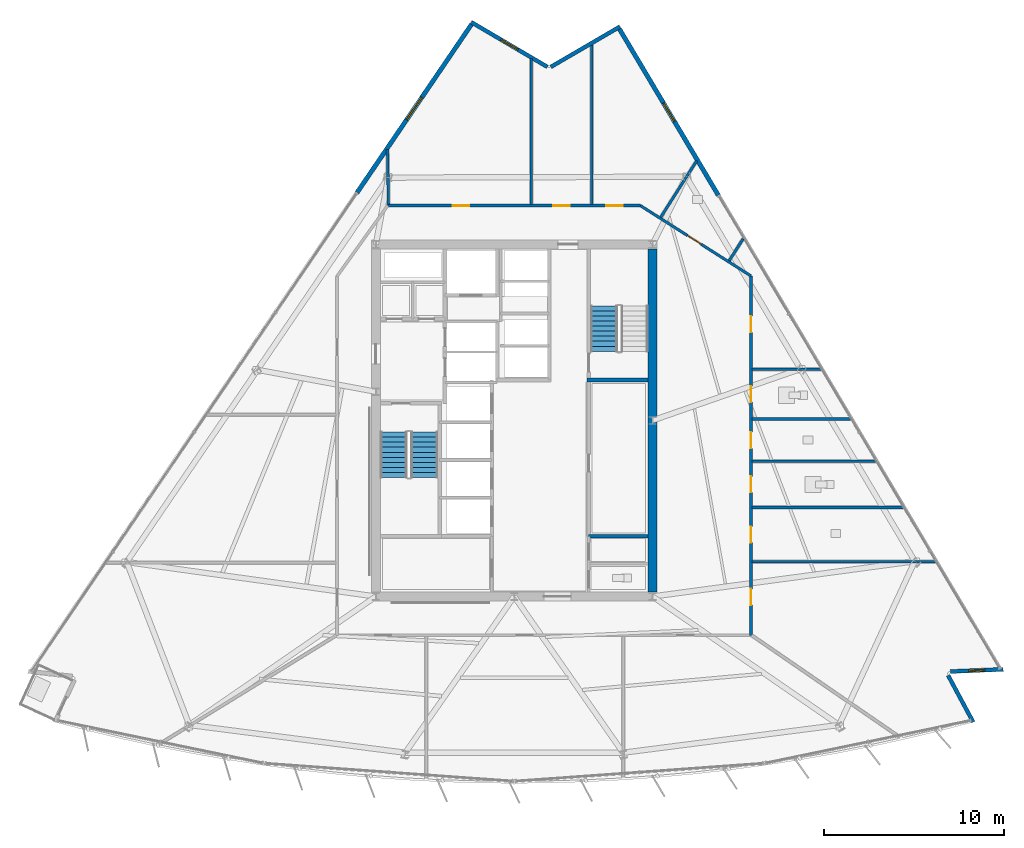
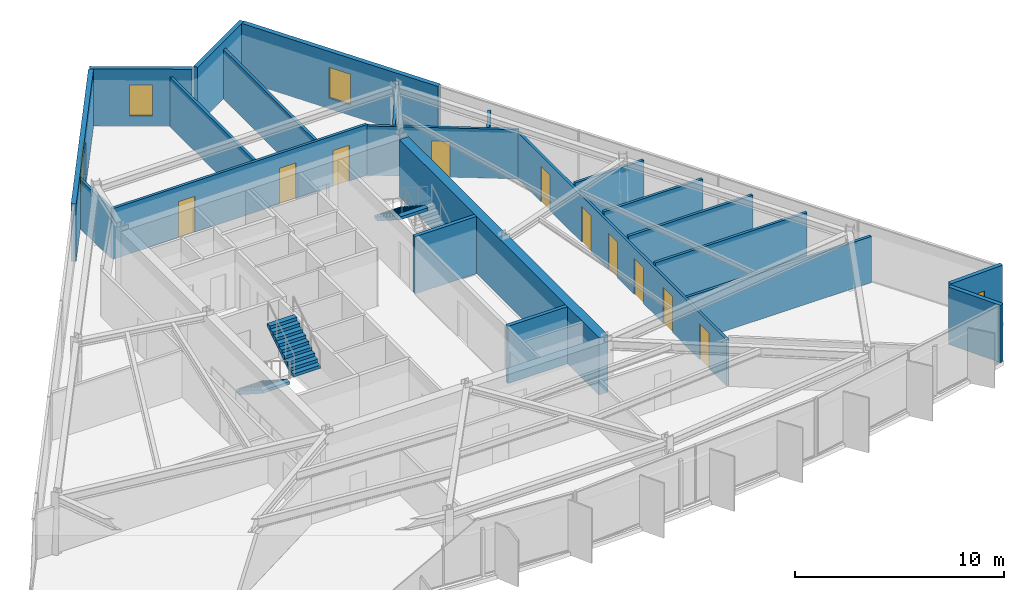
# One storey, part 9 of 15: 22 walls, 10 doors, 4 windows, 3 stair flights, 14 openings, 2 elements without a shape of their own.
"""IFC4 building model written with IfcOpenShell, lengths in metres."""

from ifc_helpers import new_model, si_unit, direction, frame, frame_2d, origin, place, context, subcontext, project, spatial, polyline, rectangle, outline, extrude, material, layer, layer_set, type_object, element, fill, aggregate, save


model = new_model("IFC4")

# Units and contexts
model_context = context("Model", 3, precision=1e-05, world=origin(), true_north=direction((0.0, 1.0)))
body_context = subcontext(model_context, "Body", "Model", "MODEL_VIEW")
ifc_project = project(units=[si_unit("LENGTHUNIT", "METRE"), si_unit("AREAUNIT", "SQUARE_METRE"), si_unit("VOLUMEUNIT", "CUBIC_METRE"), si_unit("PLANEANGLEUNIT", "RADIAN"), si_unit("MASSUNIT", "GRAM", prefix="KILO")], contexts=[model_context])

# Site, building, storey
site_placement = place(None, origin())
site = spatial("IfcSite", under=ifc_project, at=site_placement, CompositionType="ELEMENT")
building_placement = place(site_placement, origin())
building = spatial("IfcBuilding", under=site, at=building_placement, Name="Savorim Split Tower", CompositionType="ELEMENT")
storey_placement = place(building_placement, frame((0.0, 0.0, 138.60009765625)))
storey = spatial("IfcBuildingStorey", under=building, at=storey_placement, Name="L36", CompositionType="ELEMENT", Elevation=138.60009765625)

# Walls
ifc_material_1 = material(Name="Concrete C60/75", Category="concrete")
ifc_layer_1 = layer(ifc_material_1, 0.5)
ifc_layer_set_1 = layer_set([ifc_layer_1], Name="WAL-COR-SH500")
wall_type_1 = type_object("IfcWallType", Name="WAL-COR-SH500", PredefinedType="SHEAR", material=ifc_layer_set_1)
wall_1_placement = place(storey_placement, frame((7.699951171875, 9.949951171875, 0.0), z_axis=(0.0, 0.0, 1.0), x_axis=(0.0, -1.0, 0.0)))
element("IfcWall", 1, at=wall_1_placement, inside=storey, type_object=wall_type_1, Name="L36 Offset Core East Shear Wall", PredefinedType="SHEAR", context=body_context, shape_type="SweptSolid", body=[
    extrude(rectangle(XDim=19.099853515625, YDim=0.5, at=frame_2d((9.5498046875, 0.0))), origin(), (0.0, 0.0, 1.0), 3.349853515625),
])
ifc_material_2 = material(Name="Precast concrete C40/50", Category="concrete")
ifc_layer_2 = layer(ifc_material_2, 0.219970703125)
ifc_layer_set_2 = layer_set([ifc_layer_2], Name="WAL-EXT-CRN220")
wall_type_2 = type_object("IfcWallType", Name="WAL-EXT-CRN220", PredefinedType="SOLIDWALL", material=ifc_layer_set_2)
wall_2_placement = place(storey_placement, frame((24.15478515625, -13.789794921875, 0.0), z_axis=(0.0, 0.0, 1.0), x_axis=(0.472795751791, -0.881172047383, 0.0)))
element("IfcWall", 2, at=wall_2_placement, inside=storey, type_object=wall_type_2, Name="L36 Notched Corner Facade Wall SE1", PredefinedType="SOLIDWALL", context=body_context, shape_type="SweptSolid", body=[
    extrude(rectangle(XDim=2.948486328125, YDim=0.219970703125, at=frame_2d((1.47412109375, 0.0))), origin(), (0.0, 0.0, 1.0), 3.349853515625),
])

# Wall, opening, window
wall_3_placement = place(storey_placement, frame((27.219482421875, -13.450927734375, 0.0), z_axis=(0.0, 0.0, 1.0), x_axis=(-0.999095615947, -0.042519997593, 0.0)))
wall_3 = element("IfcWall", 3, at=wall_3_placement, inside=storey, type_object=wall_type_2, Name="L36 Notched Corner Facade Wall SE", PredefinedType="SOLIDWALL", context=body_context, shape_type="SweptSolid", body=[
    extrude(rectangle(XDim=2.945556640625, YDim=0.219970703125, at=frame_2d((1.47265625, 0.0))), origin(), (0.0, 0.0, 1.0), 3.349853515625),
])
opening_1_placement = place(wall_3_placement, frame((1.022705078125, 0.0, 0.6201171875)))
opening_1 = element("IfcOpeningElement", 4, at=opening_1_placement, cuts=wall_3, Name="Opening WN-10", PredefinedType="OPENING", context=body_context, shape_type="SweptSolid", body=[
    extrude(rectangle(XDim=0.89990234375, YDim=1.60009765625, at=frame_2d((0.449951171875, 0.800048828125))), frame((0.0, 0.119873046875, 0.0), z_axis=(0.0, -1.0, 0.0), x_axis=(1.0, 0.0, 0.0)), (0.0, 0.0, 1.0), 0.239990234375),
])
ifc_material_3 = material(Name="Low-E Operable Double Glazing", Category="glass")
window_type_1 = type_object("IfcWindowType", Name="WIN-TWR-900x1600", PartitioningType="SINGLE_PANEL", PredefinedType="WINDOW", material=ifc_material_3)
window_1_placement = place(opening_1_placement, origin())
window_1 = element("IfcWindow", 5, at=window_1_placement, inside=storey, type_object=window_type_1, Name="L36 Operable Corner Window SE", OverallHeight=1.60009765625, OverallWidth=0.89990234375, PartitioningType="SINGLE_PANEL", PredefinedType="WINDOW", context=body_context, shape_type="SweptSolid", body=[
    extrude(rectangle(XDim=0.89990234375, YDim=1.60009765625, at=frame_2d((0.449951171875, 0.800048828125))), frame((0.0, 0.030029296875, 0.0), z_axis=(0.0, -1.0, 0.0), x_axis=(1.0, 0.0, 0.0)), (0.0, 0.0, 1.0), 0.06005859375),
])
fill(opening_1, window_1)

# Wall
wall_4_placement = place(storey_placement, frame((2.03857421875, 20.079345703125, 0.0), z_axis=(0.0, 0.0, 1.0), x_axis=(0.86398603623, 0.503515768571, 0.0)))
element("IfcWall", 6, at=wall_4_placement, inside=storey, type_object=wall_type_2, Name="L36 Notched Corner Facade Wall NE1", PredefinedType="SOLIDWALL", context=body_context, shape_type="SweptSolid", body=[
    extrude(rectangle(XDim=4.4443359375, YDim=0.219970703125, at=frame_2d((2.22216796875, 0.0))), origin(), (0.0, 0.0, 1.0), 3.349853515625),
])

# Wall, opening, window
wall_5_placement = place(storey_placement, frame((-2.384521484375, 22.5673828125, 0.0), z_axis=(0.0, 0.0, 1.0), x_axis=(0.8621258938, -0.506694131839, 0.0)))
wall_5 = element("IfcWall", 7, at=wall_5_placement, inside=storey, type_object=wall_type_2, Name="L36 Notched Corner Facade Wall N", PredefinedType="SOLIDWALL", context=body_context, shape_type="SweptSolid", body=[
    extrude(rectangle(XDim=4.909912109375, YDim=0.219970703125, at=frame_2d((2.455078125, 0.0))), origin(), (0.0, 0.0, 1.0), 3.349853515625),
])
opening_2_placement = place(wall_5_placement, frame((1.90478515625, 0.0, 0.6201171875)))
opening_2 = element("IfcOpeningElement", 8, at=opening_2_placement, cuts=wall_5, Name="Opening WN-09", PredefinedType="OPENING", context=body_context, shape_type="SweptSolid", body=[
    extrude(rectangle(XDim=1.10009765625, YDim=1.800048828125, at=frame_2d((0.550048828125, 0.89990234375))), frame((0.0, 0.119873046875, 0.0), z_axis=(0.0, -1.0, 0.0), x_axis=(1.0, 0.0, 0.0)), (0.0, 0.0, 1.0), 0.239990234375),
])
window_type_2 = type_object("IfcWindowType", Name="WIN-TWR-1100x1800", PartitioningType="SINGLE_PANEL", PredefinedType="WINDOW", material=ifc_material_3)
window_2_placement = place(opening_2_placement, origin())
window_2 = element("IfcWindow", 9, at=window_2_placement, inside=storey, type_object=window_type_2, Name="L36 Operable Corner Window N", OverallHeight=1.800048828125, OverallWidth=1.10009765625, PartitioningType="SINGLE_PANEL", PredefinedType="WINDOW", context=body_context, shape_type="SweptSolid", body=[
    extrude(rectangle(XDim=1.10009765625, YDim=1.800048828125, at=frame_2d((0.550048828125, 0.89990234375))), frame((0.0, 0.030029296875, 0.0), z_axis=(0.0, -1.0, 0.0), x_axis=(1.0, 0.0, 0.0)), (0.0, 0.0, 1.0), 0.06005859375),
])
fill(opening_2, window_2)

ifc_layer_3 = layer(ifc_material_2, 0.25)
ifc_layer_set_3 = layer_set([ifc_layer_3], Name="WAL-EXT-SPN250")
wall_type_3 = type_object("IfcWallType", Name="WAL-EXT-SPN250", PredefinedType="SOLIDWALL", material=ifc_layer_set_3)
wall_6_placement = place(storey_placement, frame((5.86181640625, 22.1904296875, 0.0), z_axis=(0.0, 0.0, 1.0), x_axis=(0.511083986456, -0.859530778267, 0.0)))
wall_6 = element("IfcWall", 10, at=wall_6_placement, inside=storey, type_object=wall_type_3, Name="L36 East Operable Window Pier", PredefinedType="SOLIDWALL", context=body_context, shape_type="SweptSolid", body=[
    extrude(rectangle(XDim=10.778076171875, YDim=0.25, at=frame_2d((5.38916015625, 0.0))), origin(), (0.0, 0.0, 1.0), 3.349853515625),
])
opening_3_placement = place(wall_6_placement, frame((4.789306640625, 0.0, 0.6201171875)))
opening_3 = element("IfcOpeningElement", 11, at=opening_3_placement, cuts=wall_6, Name="Opening WN-08", PredefinedType="OPENING", context=body_context, shape_type="SweptSolid", body=[
    extrude(rectangle(XDim=1.199951171875, YDim=1.800048828125, at=frame_2d((0.60009765625, 0.89990234375))), frame((0.0, 0.135009765625, 0.0), z_axis=(0.0, -1.0, 0.0), x_axis=(1.0, 0.0, 0.0)), (0.0, 0.0, 1.0), 0.27001953125),
])
window_type_3 = type_object("IfcWindowType", Name="WIN-TWR-1200x1800", PartitioningType="SINGLE_PANEL", PredefinedType="WINDOW", material=ifc_material_3)
window_3_placement = place(opening_3_placement, origin())
window_3 = element("IfcWindow", 12, at=window_3_placement, inside=storey, type_object=window_type_3, Name="L36 East Operable Ventilation Window", OverallHeight=1.800048828125, OverallWidth=1.199951171875, PartitioningType="SINGLE_PANEL", PredefinedType="WINDOW", context=body_context, shape_type="SweptSolid", body=[
    extrude(rectangle(XDim=1.199951171875, YDim=1.800048828125, at=frame_2d((0.60009765625, 0.89990234375))), frame((0.0, 0.030029296875, 0.0), z_axis=(0.0, -1.0, 0.0), x_axis=(1.0, 0.0, 0.0)), (0.0, 0.0, 1.0), 0.06005859375),
])
fill(opening_3, window_3)

wall_7_placement = place(storey_placement, frame((-8.75048828125, 13.080810546875, 0.0), z_axis=(0.0, 0.0, 1.0), x_axis=(0.562463958751, 0.82682180372, 0.0)))
wall_7 = element("IfcWall", 13, at=wall_7_placement, inside=storey, type_object=wall_type_3, Name="L36 West Operable Window Pier", PredefinedType="SOLIDWALL", context=body_context, shape_type="SweptSolid", body=[
    extrude(rectangle(XDim=11.321533203125, YDim=0.25, at=frame_2d((5.66064453125, 0.0))), origin(), (0.0, 0.0, 1.0), 3.349853515625),
])
opening_4_placement = place(wall_7_placement, frame((4.91064453125, 0.0, 0.6201171875)))
opening_4 = element("IfcOpeningElement", 14, at=opening_4_placement, cuts=wall_7, Name="Opening WN-06", PredefinedType="OPENING", context=body_context, shape_type="SweptSolid", body=[
    extrude(rectangle(XDim=1.5, YDim=2.0, at=frame_2d((0.75, 1.0))), frame((0.0, 0.135009765625, 0.0), z_axis=(0.0, -1.0, 0.0), x_axis=(1.0, 0.0, 0.0)), (0.0, 0.0, 1.0), 0.27001953125),
])
window_type_4 = type_object("IfcWindowType", Name="WIN-TWR-1500x2000", PartitioningType="SINGLE_PANEL", PredefinedType="WINDOW", material=ifc_material_3)
window_4_placement = place(opening_4_placement, origin())
window_4 = element("IfcWindow", 15, at=window_4_placement, inside=storey, type_object=window_type_4, Name="L36 West Operable Ventilation Window", OverallHeight=2.0, OverallWidth=1.5, PartitioningType="SINGLE_PANEL", PredefinedType="WINDOW", context=body_context, shape_type="SweptSolid", body=[
    extrude(rectangle(XDim=1.5, YDim=2.0, at=frame_2d((0.75, 1.0))), frame((0.0, 0.030029296875, 0.0), z_axis=(0.0, -1.0, 0.0), x_axis=(1.0, 0.0, 0.0)), (0.0, 0.0, 1.0), 0.06005859375),
])
fill(opening_4, window_4)

# Walls
ifc_material_4 = material(Name="Concrete C50/60", Category="concrete")
ifc_layer_4 = layer(ifc_material_4, 0.199951171875)
ifc_layer_set_4 = layer_set([ifc_layer_4], Name="WAL-INT-RC200")
wall_type_4 = type_object("IfcWallType", Name="WAL-INT-RC200", PredefinedType="SOLIDWALL", material=ifc_layer_set_4)
wall_8_placement = place(storey_placement, frame((4.050048828125, 2.64990234375, 0.0), z_axis=(0.0, 0.0, 1.0), x_axis=(1.0, 0.0, 0.0)))
element("IfcWall", 16, at=wall_8_placement, inside=storey, type_object=wall_type_4, Name="L36 Structural Shaft Wall W-L36-CR08", PredefinedType="SOLIDWALL", context=body_context, shape_type="SweptSolid", body=[
    extrude(rectangle(XDim=3.39990234375, YDim=0.199951171875, at=frame_2d((1.699951171875, 0.0))), origin(), (0.0, 0.0, 1.0), 3.349853515625),
])
wall_9_placement = place(storey_placement, frame((4.14990234375, -6.050048828125, 0.0), z_axis=(0.0, 0.0, 1.0), x_axis=(1.0, 0.0, 0.0)))
element("IfcWall", 17, at=wall_9_placement, inside=storey, type_object=wall_type_4, Name="L36 Partition W-L36-KSEP-E", PredefinedType="SOLIDWALL", context=body_context, shape_type="SweptSolid", body=[
    extrude(rectangle(XDim=3.295166015625, YDim=0.199951171875, at=frame_2d((1.6474609375, 0.0))), origin(), (0.0, 0.0, 1.0), 3.349853515625),
])

# Wall, openings, doors
ifc_material_5 = material(Name="Acoustic Gypsum Partition Board")
ifc_layer_5 = layer(ifc_material_5, 0.14990234375)
ifc_layer_set_5 = layer_set([ifc_layer_5], Name="WAL-PAR-150")
wall_type_5 = type_object("IfcWallType", Name="WAL-PAR-150", PredefinedType="PARTITIONING", material=ifc_layer_set_5)
wall_10_placement = place(storey_placement, frame((-7.041015625, 12.360107421875, 0.0), z_axis=(0.0, 0.0, 1.0), x_axis=(1.0, 0.0, 0.0)))
wall_10 = element("IfcWall", 18, at=wall_10_placement, inside=storey, type_object=wall_type_5, Name="L36 Partition W-L36-COR-03", PredefinedType="PARTITIONING", context=body_context, shape_type="SweptSolid", body=[
    extrude(rectangle(XDim=14.064208984375, YDim=0.14990234375, at=frame_2d((7.0322265625, 0.0))), origin(), (0.0, 0.0, 1.0), 2.96484375),
])
opening_5_placement = place(wall_10_placement, frame((12.17431640625, 0.0, 0.0)))
opening_5 = element("IfcOpeningElement", 19, at=opening_5_placement, cuts=wall_10, Name="Opening DI-06", PredefinedType="OPENING", context=body_context, shape_type="SweptSolid", body=[
    extrude(rectangle(XDim=0.89990234375, YDim=2.10009765625, at=frame_2d((0.449951171875, 1.050048828125))), frame((0.0, 0.0849609375, 0.0), z_axis=(0.0, -1.0, 0.0), x_axis=(1.0, 0.0, 0.0)), (0.0, 0.0, 1.0), 0.169921875),
])
opening_6_placement = place(wall_10_placement, frame((9.224853515625, 0.0, 0.0)))
opening_6 = element("IfcOpeningElement", 20, at=opening_6_placement, cuts=wall_10, Name="Opening DI-06", PredefinedType="OPENING", context=body_context, shape_type="SweptSolid", body=[
    extrude(rectangle(XDim=0.89990234375, YDim=2.10009765625, at=frame_2d((0.449951171875, 1.050048828125))), frame((0.0, 0.0849609375, 0.0), z_axis=(0.0, -1.0, 0.0), x_axis=(1.0, 0.0, 0.0)), (0.0, 0.0, 1.0), 0.169921875),
])
opening_7_placement = place(wall_10_placement, frame((3.633056640625, 0.0, 0.0)))
opening_7 = element("IfcOpeningElement", 21, at=opening_7_placement, cuts=wall_10, Name="Opening DI-06", PredefinedType="OPENING", context=body_context, shape_type="SweptSolid", body=[
    extrude(rectangle(XDim=0.89990234375, YDim=2.10009765625, at=frame_2d((0.449951171875, 1.050048828125))), frame((0.0, 0.0849609375, 0.0), z_axis=(0.0, -1.0, 0.0), x_axis=(1.0, 0.0, 0.0)), (0.0, 0.0, 1.0), 0.169921875),
])
ifc_material_6 = material(Name="Timber Fire Door Leaf", Category="wood")
door_type_1 = type_object("IfcDoorType", Name="DOR-FIR-900", OperationType="NOTDEFINED", PredefinedType="DOOR", material=ifc_material_6)
door_1_placement = place(opening_5_placement, origin())
door_1 = element("IfcDoor", 22, at=door_1_placement, inside=storey, type_object=door_type_1, Name="DR-L36-RM13 - L36 Quiet Study Room Entry Door", OperationType="SINGLE_SWING_RIGHT", OverallHeight=2.10009765625, OverallWidth=0.89990234375, PredefinedType="DOOR", context=body_context, shape_type="SweptSolid", body=[
    extrude(rectangle(XDim=0.89990234375, YDim=2.10009765625, at=frame_2d((0.449951171875, 1.050048828125))), frame((0.0, 0.02490234375, 0.0), z_axis=(0.0, -1.0, 0.0), x_axis=(1.0, 0.0, 0.0)), (0.0, 0.0, 1.0), 0.050048828125),
])
fill(opening_5, door_1)
door_2_placement = place(opening_6_placement, origin())
door_2 = element("IfcDoor", 23, at=door_2_placement, inside=storey, type_object=door_type_1, Name="DR-L36-RM14 - L36 Quiet Study Room Entry Door", OperationType="SINGLE_SWING_LEFT", OverallHeight=2.10009765625, OverallWidth=0.89990234375, PredefinedType="DOOR", context=body_context, shape_type="SweptSolid", body=[
    extrude(rectangle(XDim=0.89990234375, YDim=2.10009765625, at=frame_2d((0.449951171875, 1.050048828125))), frame((0.0, 0.02490234375, 0.0), z_axis=(0.0, -1.0, 0.0), x_axis=(1.0, 0.0, 0.0)), (0.0, 0.0, 1.0), 0.050048828125),
])
fill(opening_6, door_2)
door_3_placement = place(opening_7_placement, origin())
door_3 = element("IfcDoor", 24, at=door_3_placement, inside=storey, type_object=door_type_1, Name="DR-L36-RM15 - L36 Co-Working Commons Entry Door", OperationType="SINGLE_SWING_RIGHT", OverallHeight=2.10009765625, OverallWidth=0.89990234375, PredefinedType="DOOR", context=body_context, shape_type="SweptSolid", body=[
    extrude(rectangle(XDim=0.89990234375, YDim=2.10009765625, at=frame_2d((0.449951171875, 1.050048828125))), frame((0.0, 0.02490234375, 0.0), z_axis=(0.0, -1.0, 0.0), x_axis=(1.0, 0.0, 0.0)), (0.0, 0.0, 1.0), 0.050048828125),
])
fill(opening_7, door_3)

# Wall, opening, door
wall_11_placement = place(storey_placement, frame((7.023193359375, 12.360107421875, 0.0), z_axis=(0.0, 0.0, 1.0), x_axis=(0.84376480085, -0.536713108511, 0.0)))
wall_11 = element("IfcWall", 25, at=wall_11_placement, inside=storey, type_object=wall_type_5, Name="L36 Partition W-L36-COR-04", PredefinedType="PARTITIONING", context=body_context, shape_type="SweptSolid", body=[
    extrude(rectangle(XDim=7.296630859375, YDim=0.14990234375, at=frame_2d((3.6484375, 0.0))), origin(), (0.0, 0.0, 1.0), 2.885009765625),
])
opening_8_placement = place(wall_11_placement, frame((3.11279296875, 0.0, 0.0)))
opening_8 = element("IfcOpeningElement", 26, at=opening_8_placement, cuts=wall_11, Name="Opening DI-06", PredefinedType="OPENING", context=body_context, shape_type="SweptSolid", body=[
    extrude(rectangle(XDim=0.89990234375, YDim=2.10009765625, at=frame_2d((0.449951171875, 1.050048828125))), frame((0.0, 0.0849609375, 0.0), z_axis=(0.0, -1.0, 0.0), x_axis=(1.0, 0.0, 0.0)), (0.0, 0.0, 1.0), 0.169921875),
])
door_4_placement = place(opening_8_placement, origin())
door_4 = element("IfcDoor", 27, at=door_4_placement, inside=storey, type_object=door_type_1, Name="DR-L36-RM12 - L36 Shared Kitchen Entry Door", OperationType="SINGLE_SWING_LEFT", OverallHeight=2.10009765625, OverallWidth=0.89990234375, PredefinedType="DOOR", context=body_context, shape_type="SweptSolid", body=[
    extrude(rectangle(XDim=0.89990234375, YDim=2.10009765625, at=frame_2d((0.449951171875, 1.050048828125))), frame((0.0, 0.02490234375, 0.0), z_axis=(0.0, -1.0, 0.0), x_axis=(1.0, 0.0, 0.0)), (0.0, 0.0, 1.0), 0.050048828125),
])
fill(opening_8, door_4)

# Wall, openings, doors
wall_12_placement = place(storey_placement, frame((13.179931640625, 8.44384765625, 0.0), z_axis=(0.0, 0.0, 1.0), x_axis=(0.0, -1.0, 0.0)))
wall_12 = element("IfcWall", 28, at=wall_12_placement, inside=storey, type_object=wall_type_5, Name="L36 Partition W-L36-COR-05", PredefinedType="PARTITIONING", context=body_context, shape_type="SweptSolid", body=[
    extrude(rectangle(XDim=20.00390625, YDim=0.14990234375, at=frame_2d((10.001953125, 0.0))), origin(), (0.0, 0.0, 1.0), 2.704833984375),
])
opening_9_placement = place(wall_12_placement, frame((17.420654296875, 0.0, 0.0)))
opening_9 = element("IfcOpeningElement", 29, at=opening_9_placement, cuts=wall_12, Name="Opening DI-06", PredefinedType="OPENING", context=body_context, shape_type="SweptSolid", body=[
    extrude(rectangle(XDim=0.89990234375, YDim=2.10009765625, at=frame_2d((0.449951171875, 1.050048828125))), frame((0.0, 0.0849609375, 0.0), z_axis=(0.0, -1.0, 0.0), x_axis=(1.0, 0.0, 0.0)), (0.0, 0.0, 1.0), 0.169921875),
])
opening_10_placement = place(wall_12_placement, frame((13.949951171875, 0.0, 0.0)))
opening_10 = element("IfcOpeningElement", 30, at=opening_10_placement, cuts=wall_12, Name="Opening DI-06", PredefinedType="OPENING", context=body_context, shape_type="SweptSolid", body=[
    extrude(rectangle(XDim=0.89990234375, YDim=2.10009765625, at=frame_2d((0.449951171875, 1.050048828125))), frame((0.0, 0.0849609375, 0.0), z_axis=(0.0, -1.0, 0.0), x_axis=(1.0, 0.0, 0.0)), (0.0, 0.0, 1.0), 0.169921875),
])
opening_11_placement = place(wall_12_placement, frame((11.152587890625, 0.0, 0.0)))
opening_11 = element("IfcOpeningElement", 31, at=opening_11_placement, cuts=wall_12, Name="Opening DI-11", PredefinedType="OPENING", context=body_context, shape_type="SweptSolid", body=[
    extrude(rectangle(XDim=0.89990234375, YDim=2.10009765625, at=frame_2d((0.449951171875, 1.050048828125))), frame((0.0, 0.0849609375, 0.0), z_axis=(0.0, -1.0, 0.0), x_axis=(1.0, 0.0, 0.0)), (0.0, 0.0, 1.0), 0.169921875),
])
opening_12_placement = place(wall_12_placement, frame((8.692626953125, 0.0, 0.0)))
opening_12 = element("IfcOpeningElement", 32, at=opening_12_placement, cuts=wall_12, Name="Opening DI-06", PredefinedType="OPENING", context=body_context, shape_type="SweptSolid", body=[
    extrude(rectangle(XDim=0.89990234375, YDim=2.10009765625, at=frame_2d((0.449951171875, 1.050048828125))), frame((0.0, 0.0849609375, 0.0), z_axis=(0.0, -1.0, 0.0), x_axis=(1.0, 0.0, 0.0)), (0.0, 0.0, 1.0), 0.169921875),
])
opening_13_placement = place(wall_12_placement, frame((6.12939453125, 0.0, 0.0)))
opening_13 = element("IfcOpeningElement", 33, at=opening_13_placement, cuts=wall_12, Name="Opening DI-11", PredefinedType="OPENING", context=body_context, shape_type="SweptSolid", body=[
    extrude(rectangle(XDim=0.89990234375, YDim=2.10009765625, at=frame_2d((0.449951171875, 1.050048828125))), frame((0.0, 0.0849609375, 0.0), z_axis=(0.0, -1.0, 0.0), x_axis=(1.0, 0.0, 0.0)), (0.0, 0.0, 1.0), 0.169921875),
])
opening_14_placement = place(wall_12_placement, frame((2.236083984375, 0.0, 0.0)))
opening_14 = element("IfcOpeningElement", 34, at=opening_14_placement, cuts=wall_12, Name="Opening DI-06", PredefinedType="OPENING", context=body_context, shape_type="SweptSolid", body=[
    extrude(rectangle(XDim=0.89990234375, YDim=2.10009765625, at=frame_2d((0.449951171875, 1.050048828125))), frame((0.0, 0.0849609375, 0.0), z_axis=(0.0, -1.0, 0.0), x_axis=(1.0, 0.0, 0.0)), (0.0, 0.0, 1.0), 0.169921875),
])
door_5_placement = place(opening_9_placement, origin())
door_5 = element("IfcDoor", 35, at=door_5_placement, inside=storey, type_object=door_type_1, Name="DR-L36-RM06 - L36 Maker Workshop Entry Door", OperationType="SINGLE_SWING_LEFT", OverallHeight=2.10009765625, OverallWidth=0.89990234375, PredefinedType="DOOR", context=body_context, shape_type="SweptSolid", body=[
    extrude(rectangle(XDim=0.89990234375, YDim=2.10009765625, at=frame_2d((0.449951171875, 1.050048828125))), frame((0.0, 0.02490234375, 0.0), z_axis=(0.0, -1.0, 0.0), x_axis=(1.0, 0.0, 0.0)), (0.0, 0.0, 1.0), 0.050048828125),
])
fill(opening_9, door_5)
door_6_placement = place(opening_10_placement, origin())
door_6 = element("IfcDoor", 36, at=door_6_placement, inside=storey, type_object=door_type_1, Name="DR-L36-RM07 - L36 Shared Kitchen Entry Door", OperationType="SINGLE_SWING_RIGHT", OverallHeight=2.10009765625, OverallWidth=0.89990234375, PredefinedType="DOOR", context=body_context, shape_type="SweptSolid", body=[
    extrude(rectangle(XDim=0.89990234375, YDim=2.10009765625, at=frame_2d((0.449951171875, 1.050048828125))), frame((0.0, 0.02490234375, 0.0), z_axis=(0.0, -1.0, 0.0), x_axis=(1.0, 0.0, 0.0)), (0.0, 0.0, 1.0), 0.050048828125),
])
fill(opening_10, door_6)
door_7_placement = place(opening_12_placement, origin())
door_7 = element("IfcDoor", 37, at=door_7_placement, inside=storey, type_object=door_type_1, Name="DR-L36-RM09 - L36 Shared Kitchen Entry Door", OperationType="SINGLE_SWING_RIGHT", OverallHeight=2.10009765625, OverallWidth=0.89990234375, PredefinedType="DOOR", context=body_context, shape_type="SweptSolid", body=[
    extrude(rectangle(XDim=0.89990234375, YDim=2.10009765625, at=frame_2d((0.449951171875, 1.050048828125))), frame((0.0, 0.02490234375, 0.0), z_axis=(0.0, -1.0, 0.0), x_axis=(1.0, 0.0, 0.0)), (0.0, 0.0, 1.0), 0.050048828125),
])
fill(opening_12, door_7)
door_8_placement = place(opening_14_placement, origin())
door_8 = element("IfcDoor", 38, at=door_8_placement, inside=storey, type_object=door_type_1, Name="DR-L36-RM11 - L36 Co-Living Bedroom Entry Door", OperationType="SINGLE_SWING_RIGHT", OverallHeight=2.10009765625, OverallWidth=0.89990234375, PredefinedType="DOOR", context=body_context, shape_type="SweptSolid", body=[
    extrude(rectangle(XDim=0.89990234375, YDim=2.10009765625, at=frame_2d((0.449951171875, 1.050048828125))), frame((0.0, 0.02490234375, 0.0), z_axis=(0.0, -1.0, 0.0), x_axis=(1.0, 0.0, 0.0)), (0.0, 0.0, 1.0), 0.050048828125),
])
fill(opening_14, door_8)
ifc_material_7 = material(Name="Oak Veneer Acoustic Door")
door_type_2 = type_object("IfcDoorType", Name="DOR-WC-900", OperationType="NOTDEFINED", PredefinedType="DOOR", material=ifc_material_7)
door_9_placement = place(opening_11_placement, origin())
door_9 = element("IfcDoor", 39, at=door_9_placement, inside=storey, type_object=door_type_2, Name="DR-L36-RM08 - L36 Shared Bathroom Entry Door", OperationType="SINGLE_SWING_LEFT", OverallHeight=2.10009765625, OverallWidth=0.89990234375, PredefinedType="DOOR", context=body_context, shape_type="SweptSolid", body=[
    extrude(rectangle(XDim=0.89990234375, YDim=2.10009765625, at=frame_2d((0.449951171875, 1.050048828125))), frame((0.0, 0.02490234375, 0.0), z_axis=(0.0, -1.0, 0.0), x_axis=(1.0, 0.0, 0.0)), (0.0, 0.0, 1.0), 0.050048828125),
])
fill(opening_11, door_9)
door_10_placement = place(opening_13_placement, origin())
door_10 = element("IfcDoor", 40, at=door_10_placement, inside=storey, type_object=door_type_2, Name="DR-L36-RM10 - L36 Shared Bathroom Entry Door", OperationType="SINGLE_SWING_LEFT", OverallHeight=2.10009765625, OverallWidth=0.89990234375, PredefinedType="DOOR", context=body_context, shape_type="SweptSolid", body=[
    extrude(rectangle(XDim=0.89990234375, YDim=2.10009765625, at=frame_2d((0.449951171875, 1.050048828125))), frame((0.0, 0.02490234375, 0.0), z_axis=(0.0, -1.0, 0.0), x_axis=(1.0, 0.0, 0.0)), (0.0, 0.0, 1.0), 0.050048828125),
])
fill(opening_13, door_10)

# Walls
wall_13_placement = place(storey_placement, frame((13.239990234375, -7.4716796875, 0.0), z_axis=(0.0, 0.0, 1.0), x_axis=(1.0, 0.0, 0.0)))
element("IfcWall", 41, at=wall_13_placement, inside=storey, type_object=wall_type_5, Name="L36 Partition W-L36-PRAD05", PredefinedType="PARTITIONING", context=body_context, shape_type="SweptSolid", body=[
    extrude(rectangle(XDim=10.201416015625, YDim=0.14990234375, at=frame_2d((5.1005859375, 0.0))), origin(), (0.0, 0.0, 1.0), 2.704833984375),
])
wall_14_placement = place(storey_placement, frame((13.239990234375, 3.249755859375, 0.0), z_axis=(0.0, 0.0, 1.0), x_axis=(1.0, 0.0, 0.0)))
element("IfcWall", 42, at=wall_14_placement, inside=storey, type_object=wall_type_5, Name="L36 Partition W-L36-PRAD06", PredefinedType="PARTITIONING", context=body_context, shape_type="SweptSolid", body=[
    extrude(rectangle(XDim=3.825927734375, YDim=0.14990234375, at=frame_2d((1.9130859375, 0.0))), origin(), (0.0, 0.0, 1.0), 2.885009765625),
])
wall_15_placement = place(storey_placement, frame((8.158203125, 11.709228515625, 0.0), z_axis=(0.0, 0.0, 1.0), x_axis=(0.53672318118, 0.843758393608, 0.0)))
element("IfcWall", 43, at=wall_15_placement, inside=storey, type_object=wall_type_5, Name="L36 Partition W-L36-PRAD07", PredefinedType="PARTITIONING", context=body_context, shape_type="SweptSolid", body=[
    extrude(rectangle(XDim=3.734130859375, YDim=0.14990234375, at=frame_2d((1.8671875, 0.0))), origin(), (0.0, 0.0, 1.0), 2.885009765625),
])
wall_16_placement = place(storey_placement, frame((-7.0, 12.419921875, 0.0), z_axis=(0.0, 0.0, 1.0), x_axis=(-0.017268994024, 0.999850879804, 0.0)))
element("IfcWall", 44, at=wall_16_placement, inside=storey, type_object=wall_type_5, Name="L36 Partition W-L36-PRAD08", PredefinedType="PARTITIONING", context=body_context, shape_type="SweptSolid", body=[
    extrude(rectangle(XDim=3.06787109375, YDim=0.14990234375, at=frame_2d((1.533935546875, 0.0))), origin(), (0.0, 0.0, 1.0), 2.885009765625),
])
wall_17_placement = place(storey_placement, frame((13.239990234375, -1.876953125, 0.0), z_axis=(0.0, 0.0, 1.0), x_axis=(1.0, 0.0, 0.0)))
element("IfcWall", 45, at=wall_17_placement, inside=storey, type_object=wall_type_5, Name="L36 Partition W-L36-SUB01", PredefinedType="PARTITIONING", context=body_context, shape_type="SweptSolid", body=[
    extrude(rectangle(XDim=6.87451171875, YDim=0.14990234375, at=frame_2d((3.437255859375, 0.0))), origin(), (0.0, 0.0, 1.0), 2.885009765625),
])
wall_18_placement = place(storey_placement, frame((11.965087890625, 9.287841796875, 0.0), z_axis=(0.0, 0.0, 1.0), x_axis=(0.536680019881, 0.843785847393, 0.0)))
element("IfcWall", 46, at=wall_18_placement, inside=storey, type_object=wall_type_5, Name="L36 Partition W-L36-SUB02", PredefinedType="PARTITIONING", context=body_context, shape_type="SweptSolid", body=[
    extrude(rectangle(XDim=1.454833984375, YDim=0.14990234375, at=frame_2d((0.7275390625, 0.0))), origin(), (0.0, 0.0, 1.0), 2.885009765625),
])
wall_19_placement = place(storey_placement, frame((0.946533203125, 12.419921875, 0.0), z_axis=(0.0, 0.0, 1.0), x_axis=(0.0, 1.0, 0.0)))
element("IfcWall", 47, at=wall_19_placement, inside=storey, type_object=wall_type_5, Name="L36 Partition W-L36-SUB03", PredefinedType="PARTITIONING", context=body_context, shape_type="SweptSolid", body=[
    extrude(rectangle(XDim=8.131591796875, YDim=0.14990234375, at=frame_2d((4.06591796875, 0.0))), origin(), (0.0, 0.0, 1.0), 2.885009765625),
])
wall_20_placement = place(storey_placement, frame((13.239990234375, -4.4404296875, 0.0), z_axis=(0.0, 0.0, 1.0), x_axis=(1.0, 0.0, 0.0)))
element("IfcWall", 48, at=wall_20_placement, inside=storey, type_object=wall_type_5, Name="L36 Partition W-L36-SUB07", PredefinedType="PARTITIONING", context=body_context, shape_type="SweptSolid", body=[
    extrude(rectangle(XDim=8.39892578125, YDim=0.14990234375, at=frame_2d((4.199462890625, 0.0))), origin(), (0.0, 0.0, 1.0), 2.885009765625),
])
wall_21_placement = place(storey_placement, frame((13.239990234375, 0.4794921875, 0.0), z_axis=(0.0, 0.0, 1.0), x_axis=(1.0, 0.0, 0.0)))
element("IfcWall", 49, at=wall_21_placement, inside=storey, type_object=wall_type_5, Name="L36 Partition W-L36-SUB08", PredefinedType="PARTITIONING", context=body_context, shape_type="SweptSolid", body=[
    extrude(rectangle(XDim=5.473388671875, YDim=0.14990234375, at=frame_2d((2.73681640625, 0.0))), origin(), (0.0, 0.0, 1.0), 2.885009765625),
])
wall_22_placement = place(storey_placement, frame((4.321044921875, 12.419921875, 0.0), z_axis=(0.0, 0.0, 1.0), x_axis=(0.0, 1.0, 0.0)))
element("IfcWall", 50, at=wall_22_placement, inside=storey, type_object=wall_type_5, Name="L36 Partition W-L36-SUB09", PredefinedType="PARTITIONING", context=body_context, shape_type="SweptSolid", body=[
    extrude(rectangle(XDim=8.931884765625, YDim=0.14990234375, at=frame_2d((4.4658203125, 0.0))), origin(), (0.0, 0.0, 1.0), 2.885009765625),
])

# Stair, stair flights
stair_type = type_object("IfcStairType", Name="STR-DOG-3600", PredefinedType="HALF_TURN_STAIR", material=ifc_material_4)
stair_1_placement = place(storey_placement, origin())
stair_1 = element("IfcStair", 51, at=stair_1_placement, inside=storey, type_object=stair_type, Name="L36 Core Protected Exit Stair ST-1", PredefinedType="HALF_TURN_STAIR")
stair_flight_type = type_object("IfcStairFlightType", Name="SFL-DOG-3600", PredefinedType="STRAIGHT", material=ifc_material_4)
stair_flight_1_placement = place(storey_placement, frame((-6.699951171875, -0.25, 0.0), z_axis=(0.0, 0.0, 1.0), x_axis=(0.0, -1.0, 0.0)))
stair_flight_1 = element("IfcStairFlight", 52, at=stair_flight_1_placement, type_object=stair_flight_type, Name="ST-1 flight 1", NumberOfRisers=10, NumberOfTreads=9, PredefinedType="STRAIGHT", RiserHeight=0.18, TreadLength=0.28, context=body_context, shape_type="SweptSolid", body=[
    extrude(outline(polyline([(0.0, 0.0), (0.0, 0.179931640625), (0.280029296875, 0.179931640625), (0.280029296875, 0.360107421875), (0.56005859375, 0.360107421875), (0.56005859375, 0.5400390625), (0.840087890625, 0.5400390625), (0.840087890625, 0.719970703125), (1.1201171875, 0.719970703125), (1.1201171875, 0.89990234375), (1.39990234375, 0.89990234375), (1.39990234375, 1.080078125), (1.679931640625, 1.080078125), (1.679931640625, 1.260009765625), (1.9599609375, 1.260009765625), (1.9599609375, 1.43994140625), (2.239990234375, 1.43994140625), (2.239990234375, 1.6201171875), (2.52001953125, 1.6201171875), (2.52001953125, 1.800048828125), (2.52001953125, 1.44189453125), (0.277099609375, 0.0), (0.0, 0.0)])), frame((0.0, 0.75, 0.0), z_axis=(0.0, -1.0, 0.0), x_axis=(1.0, 0.0, 0.0)), (0.0, 0.0, 1.0), 1.5),
])
stair_flight_2_placement = place(storey_placement, frame((-5.0, -2.77001953125, 1.7998046875), z_axis=(0.0, 0.0, 1.0), x_axis=(0.0, 1.0, 0.0)))
stair_flight_2 = element("IfcStairFlight", 53, at=stair_flight_2_placement, type_object=stair_flight_type, Name="ST-1 flight 2", NumberOfRisers=10, NumberOfTreads=9, PredefinedType="STRAIGHT", RiserHeight=0.18, TreadLength=0.28, context=body_context, shape_type="SweptSolid", body=[
    extrude(outline(polyline([(0.0, 0.0), (0.0, 0.179931640625), (0.280029296875, 0.179931640625), (0.280029296875, 0.360107421875), (0.56005859375, 0.360107421875), (0.56005859375, 0.5400390625), (0.840087890625, 0.5400390625), (0.840087890625, 0.719970703125), (1.1201171875, 0.719970703125), (1.1201171875, 0.89990234375), (1.39990234375, 0.89990234375), (1.39990234375, 1.080078125), (1.679931640625, 1.080078125), (1.679931640625, 1.260009765625), (1.9599609375, 1.260009765625), (1.9599609375, 1.43994140625), (2.239990234375, 1.43994140625), (2.239990234375, 1.6201171875), (2.52001953125, 1.6201171875), (2.52001953125, 1.800048828125), (2.52001953125, 1.44189453125), (0.277099609375, 0.0), (0.0, 0.0)])), frame((0.0, 0.75, 0.0), z_axis=(0.0, -1.0, 0.0), x_axis=(1.0, 0.0, 0.0)), (0.0, 0.0, 1.0), 1.5),
])
aggregate(stair_1, [stair_flight_1, stair_flight_2])

# Stair, stair flight
stair_2_placement = place(storey_placement, origin())
stair_2 = element("IfcStair", 54, at=stair_2_placement, inside=storey, type_object=stair_type, Name="L36 Core Protected Exit Stair ST-2", PredefinedType="HALF_TURN_STAIR")
stair_flight_3_placement = place(storey_placement, frame((5.0, 6.77001953125, 1.7998046875), z_axis=(0.0, 0.0, 1.0), x_axis=(0.0, -1.0, 0.0)))
stair_flight_3 = element("IfcStairFlight", 55, at=stair_flight_3_placement, type_object=stair_flight_type, Name="ST-2 flight 2", NumberOfRisers=10, NumberOfTreads=9, PredefinedType="STRAIGHT", RiserHeight=0.18, TreadLength=0.28, context=body_context, shape_type="SweptSolid", body=[
    extrude(outline(polyline([(0.0, 0.0), (0.0, 0.179931640625), (0.280029296875, 0.179931640625), (0.280029296875, 0.360107421875), (0.56005859375, 0.360107421875), (0.56005859375, 0.5400390625), (0.840087890625, 0.5400390625), (0.840087890625, 0.719970703125), (1.1201171875, 0.719970703125), (1.1201171875, 0.89990234375), (1.39990234375, 0.89990234375), (1.39990234375, 1.080078125), (1.679931640625, 1.080078125), (1.679931640625, 1.260009765625), (1.9599609375, 1.260009765625), (1.9599609375, 1.43994140625), (2.239990234375, 1.43994140625), (2.239990234375, 1.6201171875), (2.52001953125, 1.6201171875), (2.52001953125, 1.800048828125), (2.52001953125, 1.44189453125), (0.277099609375, 0.0), (0.0, 0.0)])), frame((0.0, 0.75, 0.0), z_axis=(0.0, -1.0, 0.0), x_axis=(1.0, 0.0, 0.0)), (0.0, 0.0, 1.0), 1.5),
])
aggregate(stair_2, [stair_flight_3])

save(model, "model.ifc")
